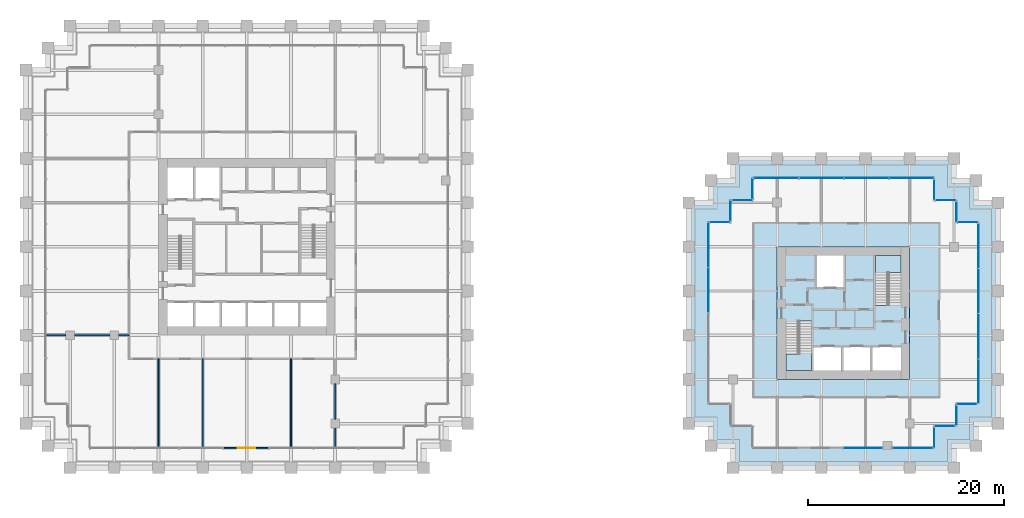
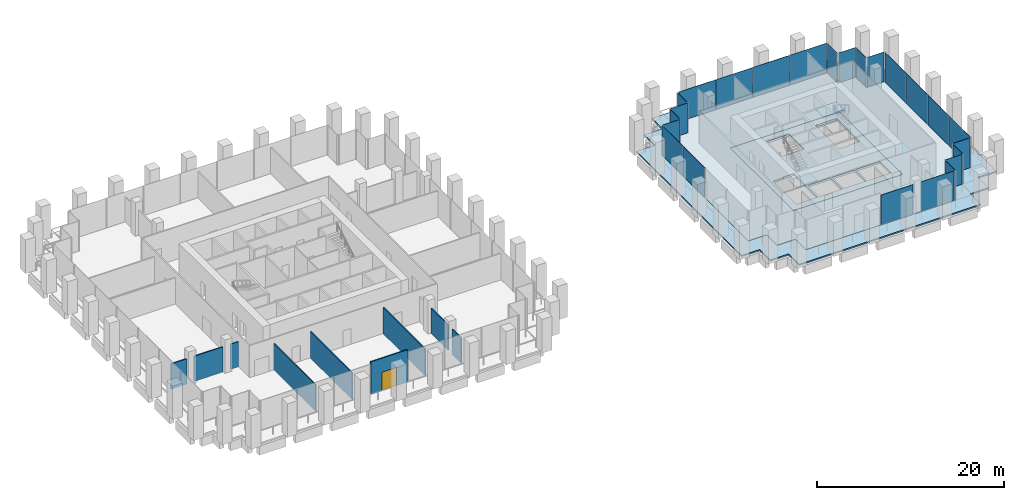
# One storey, part 29 of 36: 24 plates, 9 walls, 5 slabs, 1 door, 1 opening, 19 elements without a shape of their own.
"""IFC4 building model written with IfcOpenShell, lengths in metres."""

from ifc_helpers import new_model, si_unit, direction, frame, frame_2d, origin, origin_2d, place, context, subcontext, project, spatial, polyline, rectangle, outline, extrude, material, layer, layer_set, type_object, element, fill, aggregate, save


model = new_model("IFC4")

# Units and contexts
model_context = context("Model", 3, precision=1e-05, world=origin(), true_north=direction((0.0, 1.0)))
body_context = subcontext(model_context, "Body", "Model", "MODEL_VIEW")
ifc_project = project(units=[si_unit("LENGTHUNIT", "METRE"), si_unit("AREAUNIT", "SQUARE_METRE"), si_unit("VOLUMEUNIT", "CUBIC_METRE"), si_unit("PLANEANGLEUNIT", "RADIAN"), si_unit("MASSUNIT", "GRAM", prefix="KILO")], contexts=[model_context])

# Site, building, storey
site_placement = place(None, origin())
site = spatial("IfcSite", under=ifc_project, at=site_placement, CompositionType="ELEMENT")
building_placement = place(site_placement, origin())
building = spatial("IfcBuilding", under=site, at=building_placement, Name="Altepetl Exchange Towers", CompositionType="ELEMENT")
storey_placement = place(building_placement, frame((0.0, 0.0, 29.800048828125)))
storey = spatial("IfcBuildingStorey", under=building, at=storey_placement, Name="L06", CompositionType="ELEMENT", Elevation=29.800048828125)

# Slabs
ifc_material_1 = material(Name="Concrete C40/50", Category="concrete")
ifc_layer_1 = layer(ifc_material_1, 0.175048828125)
ifc_layer_set_1 = layer_set([ifc_layer_1], Name="Concrete C40/50")
slab_type_1 = type_object("IfcSlabType", Name="Composite floor slab 175", PredefinedType="FLOOR", material=ifc_layer_set_1)
slab_1_placement = place(storey_placement, frame((0.0, 0.0, -0.175048828125)))
element("IfcSlab", 1, at=slab_1_placement, inside=storey, type_object=slab_type_1, Name="slab:B:L06:strip0", PredefinedType="FLOOR", context=body_context, shape_type="SweptSolid", body=[
    extrude(outline(polyline([(98.75, 54.25), (98.75, 52.0), (96.5, 52.0), (96.5, 33.5), (98.75, 33.5), (98.75, 31.25), (101.0, 31.25), (101.0, 29.0), (119.5, 29.0), (119.5, 31.25), (121.75, 31.25), (121.75, 33.5), (124.0, 33.5), (124.0, 52.0), (121.75, 52.0), (121.75, 54.25), (119.5, 54.25), (119.5, 56.5), (101.0, 56.5), (101.0, 54.25), (98.75, 54.25)]), holes=[polyline([(117.0, 49.5), (117.0, 36.0), (103.5, 36.0), (103.5, 49.5), (117.0, 49.5)])]), origin(), (0.0, 0.0, 1.0), 0.175048828125),
])
ifc_layer_2 = layer(ifc_material_1, 0.27490234375)
ifc_layer_set_2 = layer_set([ifc_layer_2], Name="Concrete C40/50")
slab_type_2 = type_object("IfcSlabType", Name="Core floor slab 275", PredefinedType="FLOOR", material=ifc_layer_set_2)
slab_2_placement = place(storey_placement, frame((0.0, 0.0, -0.275146484375)))
element("IfcSlab", 2, at=slab_2_placement, inside=storey, type_object=slab_type_2, Name="slab:B:L06:core0", PredefinedType="FLOOR", context=body_context, shape_type="SweptSolid", body=[
    extrude(outline(polyline([(103.5, 36.0), (117.0, 36.0), (117.0, 49.5), (103.5, 49.5), (103.5, 36.0)]), holes=[polyline([(107.199951171875, 36.89990234375), (107.199951171875, 39.300048828125), (110.032958984375, 39.300048828125), (110.032958984375, 36.89990234375), (107.199951171875, 36.89990234375)]), polyline([(110.23291015625, 39.300048828125), (112.967041015625, 39.300048828125), (112.967041015625, 36.89990234375), (110.23291015625, 36.89990234375), (110.23291015625, 39.300048828125)]), polyline([(113.1669921875, 39.300048828125), (116.10009765625, 39.300048828125), (116.10009765625, 36.89990234375), (113.1669921875, 36.89990234375), (113.1669921875, 39.300048828125)]), polyline([(107.0, 36.89990234375), (104.39990234375, 36.89990234375), (104.39990234375, 41.85009765625), (105.64990234375, 41.85009765625), (105.64990234375, 41.948974609375), (107.0, 41.948974609375), (107.0, 36.89990234375)]), polyline([(116.10009765625, 48.60009765625), (116.10009765625, 43.64990234375), (114.85009765625, 43.64990234375), (114.85009765625, 43.551025390625), (113.5, 43.551025390625), (113.5, 48.60009765625), (116.10009765625, 48.60009765625)]), polyline([(107.532958984375, 48.60009765625), (110.26708984375, 48.60009765625), (110.26708984375, 45.39990234375), (107.532958984375, 45.39990234375), (107.532958984375, 48.60009765625)])]), origin(), (0.0, 0.0, 1.0), 0.275146484375),
])

# Curtain wall, plate
ifc_material_2 = material(Name="Aluminium 6063-T6 glazing", Category="aluminium")
curtain_wall_type = type_object("IfcCurtainWallType", Name="Trading floor glazing system", PredefinedType="NOTDEFINED", material=ifc_material_2)
curtain_wall_1_placement = place(storey_placement, origin())
curtain_wall_1 = element("IfcCurtainWall", 3, at=curtain_wall_1_placement, inside=storey, type_object=curtain_wall_type, Name="CW2 run", PredefinedType="NOTDEFINED")
ifc_material_3 = material(Name="Glass 8-20-8 solar control", Category="glass")
ifc_layer_3 = layer(ifc_material_3, 0.035888671875)
ifc_layer_set_3 = layer_set([ifc_layer_3], Name="Glass 8-20-8 solar control")
plate_type = type_object("IfcPlateType", Name="Glass panel 36 double glazed", PredefinedType="CURTAIN_PANEL", material=ifc_layer_set_3)
plate_1_placement = place(storey_placement, frame((97.675048828125, 52.0, 0.0), z_axis=(0.0, 0.0, 1.0), x_axis=(-1.0, 0.0, 0.0)))
plate_1 = element("IfcPlate", 4, at=plate_1_placement, type_object=plate_type, Name="GP2 panel", PredefinedType="CURTAIN_PANEL", context=body_context, shape_type="SweptSolid", body=[
    extrude(rectangle(XDim=2.030029296875, YDim=0.035888671875, at=origin_2d()), origin(), (0.0, 0.0, 1.0), 3.89990234375),
])
aggregate(curtain_wall_1, [plate_1])

# Curtain wall, plates
curtain_wall_2_placement = place(storey_placement, origin())
curtain_wall_2 = element("IfcCurtainWall", 5, at=curtain_wall_2_placement, inside=storey, type_object=curtain_wall_type, Name="CW2 run", PredefinedType="NOTDEFINED")
plate_2_placement = place(storey_placement, frame((96.5, 49.68505859375, 0.0), z_axis=(0.0, 0.0, 1.0), x_axis=(0.0, -1.0, 0.0)))
plate_2 = element("IfcPlate", 6, at=plate_2_placement, type_object=plate_type, Name="GP2 panel", PredefinedType="CURTAIN_PANEL", context=body_context, shape_type="SweptSolid", body=[
    extrude(rectangle(XDim=4.510009765625, YDim=0.035888671875, at=origin_2d()), origin(), (0.0, 0.0, 1.0), 3.89990234375),
])
plate_3_placement = place(storey_placement, frame((96.5, 45.10009765625, 0.0), z_axis=(0.0, 0.0, 1.0), x_axis=(0.0, -1.0, 0.0)))
plate_3 = element("IfcPlate", 7, at=plate_3_placement, type_object=plate_type, Name="GP2 panel", PredefinedType="CURTAIN_PANEL", context=body_context, shape_type="SweptSolid", body=[
    extrude(rectangle(XDim=4.5400390625, YDim=0.035888671875, at=origin_2d()), origin(), (0.0, 0.0, 1.0), 3.89990234375),
])
aggregate(curtain_wall_2, [plate_2, plate_3])

# Curtain wall, plate
curtain_wall_3_placement = place(storey_placement, origin())
curtain_wall_3 = element("IfcCurtainWall", 8, at=curtain_wall_3_placement, inside=storey, type_object=curtain_wall_type, Name="CW2 run", PredefinedType="NOTDEFINED")
plate_4_placement = place(storey_placement, frame((112.239990234375, 29.0, 0.0)))
plate_4 = element("IfcPlate", 9, at=plate_4_placement, type_object=plate_type, Name="GP2 panel", PredefinedType="CURTAIN_PANEL", context=body_context, shape_type="SweptSolid", body=[
    extrude(rectangle(XDim=3.9599609375, YDim=0.035888671875, at=origin_2d()), origin(), (0.0, 0.0, 1.0), 3.89990234375),
])
aggregate(curtain_wall_3, [plate_4])

curtain_wall_4_placement = place(storey_placement, origin())
curtain_wall_4 = element("IfcCurtainWall", 10, at=curtain_wall_4_placement, inside=storey, type_object=curtain_wall_type, Name="CW2 run", PredefinedType="NOTDEFINED")
plate_5_placement = place(storey_placement, frame((117.31005859375, 29.0, 0.0)))
plate_5 = element("IfcPlate", 11, at=plate_5_placement, type_object=plate_type, Name="GP2 panel", PredefinedType="CURTAIN_PANEL", context=body_context, shape_type="SweptSolid", body=[
    extrude(rectangle(XDim=4.06005859375, YDim=0.035888671875, at=origin_2d()), origin(), (0.0, 0.0, 1.0), 3.89990234375),
])
aggregate(curtain_wall_4, [plate_5])

curtain_wall_5_placement = place(storey_placement, origin())
curtain_wall_5 = element("IfcCurtainWall", 12, at=curtain_wall_5_placement, inside=storey, type_object=curtain_wall_type, Name="CW2 run", PredefinedType="NOTDEFINED")
plate_6_placement = place(storey_placement, frame((119.5, 30.074951171875, 0.0), z_axis=(0.0, 0.0, 1.0), x_axis=(0.0, 1.0, 0.0)))
plate_6 = element("IfcPlate", 13, at=plate_6_placement, type_object=plate_type, Name="GP2 panel", PredefinedType="CURTAIN_PANEL", context=body_context, shape_type="SweptSolid", body=[
    extrude(rectangle(XDim=2.030029296875, YDim=0.035888671875, at=origin_2d()), origin(), (0.0, 0.0, 1.0), 3.89990234375),
])
aggregate(curtain_wall_5, [plate_6])

curtain_wall_6_placement = place(storey_placement, origin())
curtain_wall_6 = element("IfcCurtainWall", 14, at=curtain_wall_6_placement, inside=storey, type_object=curtain_wall_type, Name="CW2 run", PredefinedType="NOTDEFINED")
plate_7_placement = place(storey_placement, frame((120.574951171875, 31.25, 0.0)))
plate_7 = element("IfcPlate", 15, at=plate_7_placement, type_object=plate_type, Name="GP2 panel", PredefinedType="CURTAIN_PANEL", context=body_context, shape_type="SweptSolid", body=[
    extrude(rectangle(XDim=2.030029296875, YDim=0.035888671875, at=origin_2d()), origin(), (0.0, 0.0, 1.0), 3.89990234375),
])
aggregate(curtain_wall_6, [plate_7])

curtain_wall_7_placement = place(storey_placement, origin())
curtain_wall_7 = element("IfcCurtainWall", 16, at=curtain_wall_7_placement, inside=storey, type_object=curtain_wall_type, Name="CW2 run", PredefinedType="NOTDEFINED")
plate_8_placement = place(storey_placement, frame((121.75, 32.324951171875, 0.0), z_axis=(0.0, 0.0, 1.0), x_axis=(0.0, 1.0, 0.0)))
plate_8 = element("IfcPlate", 17, at=plate_8_placement, type_object=plate_type, Name="GP2 panel", PredefinedType="CURTAIN_PANEL", context=body_context, shape_type="SweptSolid", body=[
    extrude(rectangle(XDim=2.030029296875, YDim=0.035888671875, at=origin_2d()), origin(), (0.0, 0.0, 1.0), 3.89990234375),
])
aggregate(curtain_wall_7, [plate_8])

curtain_wall_8_placement = place(storey_placement, origin())
curtain_wall_8 = element("IfcCurtainWall", 18, at=curtain_wall_8_placement, inside=storey, type_object=curtain_wall_type, Name="CW2 run", PredefinedType="NOTDEFINED")
plate_9_placement = place(storey_placement, frame((122.824951171875, 33.5, 0.0)))
plate_9 = element("IfcPlate", 19, at=plate_9_placement, type_object=plate_type, Name="GP2 panel", PredefinedType="CURTAIN_PANEL", context=body_context, shape_type="SweptSolid", body=[
    extrude(rectangle(XDim=2.030029296875, YDim=0.035888671875, at=origin_2d()), origin(), (0.0, 0.0, 1.0), 3.89990234375),
])
aggregate(curtain_wall_8, [plate_9])

# Curtain wall, plates
curtain_wall_9_placement = place(storey_placement, origin())
curtain_wall_9 = element("IfcCurtainWall", 20, at=curtain_wall_9_placement, inside=storey, type_object=curtain_wall_type, Name="CW2 run", PredefinedType="NOTDEFINED")
plate_10_placement = place(storey_placement, frame((124.0, 35.81494140625, 0.0), z_axis=(0.0, 0.0, 1.0), x_axis=(0.0, 1.0, 0.0)))
plate_10 = element("IfcPlate", 21, at=plate_10_placement, type_object=plate_type, Name="GP2 panel", PredefinedType="CURTAIN_PANEL", context=body_context, shape_type="SweptSolid", body=[
    extrude(rectangle(XDim=4.510009765625, YDim=0.035888671875, at=origin_2d()), origin(), (0.0, 0.0, 1.0), 3.89990234375),
])
plate_11_placement = place(storey_placement, frame((124.0, 40.39990234375, 0.0), z_axis=(0.0, 0.0, 1.0), x_axis=(0.0, 1.0, 0.0)))
plate_11 = element("IfcPlate", 22, at=plate_11_placement, type_object=plate_type, Name="GP2 panel", PredefinedType="CURTAIN_PANEL", context=body_context, shape_type="SweptSolid", body=[
    extrude(rectangle(XDim=4.5400390625, YDim=0.035888671875, at=origin_2d()), origin(), (0.0, 0.0, 1.0), 3.89990234375),
])
plate_12_placement = place(storey_placement, frame((124.0, 45.0, 0.0), z_axis=(0.0, 0.0, 1.0), x_axis=(0.0, 1.0, 0.0)))
plate_12 = element("IfcPlate", 23, at=plate_12_placement, type_object=plate_type, Name="GP2 panel", PredefinedType="CURTAIN_PANEL", context=body_context, shape_type="SweptSolid", body=[
    extrude(rectangle(XDim=4.5400390625, YDim=0.035888671875, at=origin_2d()), origin(), (0.0, 0.0, 1.0), 3.89990234375),
])
plate_13_placement = place(storey_placement, frame((124.0, 49.5849609375, 0.0), z_axis=(0.0, 0.0, 1.0), x_axis=(0.0, 1.0, 0.0)))
plate_13 = element("IfcPlate", 24, at=plate_13_placement, type_object=plate_type, Name="GP2 panel", PredefinedType="CURTAIN_PANEL", context=body_context, shape_type="SweptSolid", body=[
    extrude(rectangle(XDim=4.510009765625, YDim=0.035888671875, at=origin_2d()), origin(), (0.0, 0.0, 1.0), 3.89990234375),
])
aggregate(curtain_wall_9, [plate_10, plate_11, plate_12, plate_13])

# Curtain wall, plate
curtain_wall_10_placement = place(storey_placement, origin())
curtain_wall_10 = element("IfcCurtainWall", 25, at=curtain_wall_10_placement, inside=storey, type_object=curtain_wall_type, Name="CW2 run", PredefinedType="NOTDEFINED")
plate_14_placement = place(storey_placement, frame((122.925048828125, 52.0, 0.0), z_axis=(0.0, 0.0, 1.0), x_axis=(-1.0, 0.0, 0.0)))
plate_14 = element("IfcPlate", 26, at=plate_14_placement, type_object=plate_type, Name="GP2 panel", PredefinedType="CURTAIN_PANEL", context=body_context, shape_type="SweptSolid", body=[
    extrude(rectangle(XDim=2.030029296875, YDim=0.035888671875, at=origin_2d()), origin(), (0.0, 0.0, 1.0), 3.89990234375),
])
aggregate(curtain_wall_10, [plate_14])

curtain_wall_11_placement = place(storey_placement, origin())
curtain_wall_11 = element("IfcCurtainWall", 27, at=curtain_wall_11_placement, inside=storey, type_object=curtain_wall_type, Name="CW2 run", PredefinedType="NOTDEFINED")
plate_15_placement = place(storey_placement, frame((121.75, 53.074951171875, 0.0), z_axis=(0.0, 0.0, 1.0), x_axis=(0.0, 1.0, 0.0)))
plate_15 = element("IfcPlate", 28, at=plate_15_placement, type_object=plate_type, Name="GP2 panel", PredefinedType="CURTAIN_PANEL", context=body_context, shape_type="SweptSolid", body=[
    extrude(rectangle(XDim=2.030029296875, YDim=0.035888671875, at=origin_2d()), origin(), (0.0, 0.0, 1.0), 3.89990234375),
])
aggregate(curtain_wall_11, [plate_15])

curtain_wall_12_placement = place(storey_placement, origin())
curtain_wall_12 = element("IfcCurtainWall", 29, at=curtain_wall_12_placement, inside=storey, type_object=curtain_wall_type, Name="CW2 run", PredefinedType="NOTDEFINED")
plate_16_placement = place(storey_placement, frame((120.675048828125, 54.25, 0.0), z_axis=(0.0, 0.0, 1.0), x_axis=(-1.0, 0.0, 0.0)))
plate_16 = element("IfcPlate", 30, at=plate_16_placement, type_object=plate_type, Name="GP2 panel", PredefinedType="CURTAIN_PANEL", context=body_context, shape_type="SweptSolid", body=[
    extrude(rectangle(XDim=2.030029296875, YDim=0.035888671875, at=origin_2d()), origin(), (0.0, 0.0, 1.0), 3.89990234375),
])
aggregate(curtain_wall_12, [plate_16])

curtain_wall_13_placement = place(storey_placement, origin())
curtain_wall_13 = element("IfcCurtainWall", 31, at=curtain_wall_13_placement, inside=storey, type_object=curtain_wall_type, Name="CW2 run", PredefinedType="NOTDEFINED")
plate_17_placement = place(storey_placement, frame((119.5, 55.324951171875, 0.0), z_axis=(0.0, 0.0, 1.0), x_axis=(0.0, 1.0, 0.0)))
plate_17 = element("IfcPlate", 32, at=plate_17_placement, type_object=plate_type, Name="GP2 panel", PredefinedType="CURTAIN_PANEL", context=body_context, shape_type="SweptSolid", body=[
    extrude(rectangle(XDim=2.030029296875, YDim=0.035888671875, at=origin_2d()), origin(), (0.0, 0.0, 1.0), 3.89990234375),
])
aggregate(curtain_wall_13, [plate_17])

# Curtain wall, plates
curtain_wall_14_placement = place(storey_placement, origin())
curtain_wall_14 = element("IfcCurtainWall", 33, at=curtain_wall_14_placement, inside=storey, type_object=curtain_wall_type, Name="CW2 run", PredefinedType="NOTDEFINED")
plate_18_placement = place(storey_placement, frame((117.18505859375, 56.5, 0.0), z_axis=(0.0, 0.0, 1.0), x_axis=(-1.0, 0.0, 0.0)))
plate_18 = element("IfcPlate", 34, at=plate_18_placement, type_object=plate_type, Name="GP2 panel", PredefinedType="CURTAIN_PANEL", context=body_context, shape_type="SweptSolid", body=[
    extrude(rectangle(XDim=4.510009765625, YDim=0.035888671875, at=origin_2d()), origin(), (0.0, 0.0, 1.0), 3.89990234375),
])
plate_19_placement = place(storey_placement, frame((112.60009765625, 56.5, 0.0), z_axis=(0.0, 0.0, 1.0), x_axis=(-1.0, 0.0, 0.0)))
plate_19 = element("IfcPlate", 35, at=plate_19_placement, type_object=plate_type, Name="GP2 panel", PredefinedType="CURTAIN_PANEL", context=body_context, shape_type="SweptSolid", body=[
    extrude(rectangle(XDim=4.5400390625, YDim=0.035888671875, at=origin_2d()), origin(), (0.0, 0.0, 1.0), 3.89990234375),
])
plate_20_placement = place(storey_placement, frame((108.0, 56.5, 0.0), z_axis=(0.0, 0.0, 1.0), x_axis=(-1.0, 0.0, 0.0)))
plate_20 = element("IfcPlate", 36, at=plate_20_placement, type_object=plate_type, Name="GP2 panel", PredefinedType="CURTAIN_PANEL", context=body_context, shape_type="SweptSolid", body=[
    extrude(rectangle(XDim=4.5400390625, YDim=0.035888671875, at=origin_2d()), origin(), (0.0, 0.0, 1.0), 3.89990234375),
])
plate_21_placement = place(storey_placement, frame((103.4150390625, 56.5, 0.0), z_axis=(0.0, 0.0, 1.0), x_axis=(-1.0, 0.0, 0.0)))
plate_21 = element("IfcPlate", 37, at=plate_21_placement, type_object=plate_type, Name="GP2 panel", PredefinedType="CURTAIN_PANEL", context=body_context, shape_type="SweptSolid", body=[
    extrude(rectangle(XDim=4.510009765625, YDim=0.035888671875, at=origin_2d()), origin(), (0.0, 0.0, 1.0), 3.89990234375),
])
aggregate(curtain_wall_14, [plate_18, plate_19, plate_20, plate_21])

# Curtain wall, plate
curtain_wall_15_placement = place(storey_placement, origin())
curtain_wall_15 = element("IfcCurtainWall", 38, at=curtain_wall_15_placement, inside=storey, type_object=curtain_wall_type, Name="CW2 run", PredefinedType="NOTDEFINED")
plate_22_placement = place(storey_placement, frame((101.0, 55.425048828125, 0.0), z_axis=(0.0, 0.0, 1.0), x_axis=(0.0, -1.0, 0.0)))
plate_22 = element("IfcPlate", 39, at=plate_22_placement, type_object=plate_type, Name="GP2 panel", PredefinedType="CURTAIN_PANEL", context=body_context, shape_type="SweptSolid", body=[
    extrude(rectangle(XDim=2.030029296875, YDim=0.035888671875, at=origin_2d()), origin(), (0.0, 0.0, 1.0), 3.89990234375),
])
aggregate(curtain_wall_15, [plate_22])

curtain_wall_16_placement = place(storey_placement, origin())
curtain_wall_16 = element("IfcCurtainWall", 40, at=curtain_wall_16_placement, inside=storey, type_object=curtain_wall_type, Name="CW2 run", PredefinedType="NOTDEFINED")
plate_23_placement = place(storey_placement, frame((99.925048828125, 54.25, 0.0), z_axis=(0.0, 0.0, 1.0), x_axis=(-1.0, 0.0, 0.0)))
plate_23 = element("IfcPlate", 41, at=plate_23_placement, type_object=plate_type, Name="GP2 panel", PredefinedType="CURTAIN_PANEL", context=body_context, shape_type="SweptSolid", body=[
    extrude(rectangle(XDim=2.030029296875, YDim=0.035888671875, at=origin_2d()), origin(), (0.0, 0.0, 1.0), 3.89990234375),
])
aggregate(curtain_wall_16, [plate_23])

curtain_wall_17_placement = place(storey_placement, origin())
curtain_wall_17 = element("IfcCurtainWall", 42, at=curtain_wall_17_placement, inside=storey, type_object=curtain_wall_type, Name="CW2 run", PredefinedType="NOTDEFINED")
plate_24_placement = place(storey_placement, frame((98.75, 53.175048828125, 0.0), z_axis=(0.0, 0.0, 1.0), x_axis=(0.0, -1.0, 0.0)))
plate_24 = element("IfcPlate", 43, at=plate_24_placement, type_object=plate_type, Name="GP2 panel", PredefinedType="CURTAIN_PANEL", context=body_context, shape_type="SweptSolid", body=[
    extrude(rectangle(XDim=2.030029296875, YDim=0.035888671875, at=origin_2d()), origin(), (0.0, 0.0, 1.0), 3.89990234375),
])
aggregate(curtain_wall_17, [plate_24])

# Slab
ifc_layer_4 = layer(ifc_material_1, 0.175048828125)
ifc_layer_set_4 = layer_set([ifc_layer_4], Name="Concrete C40/50")
slab_type_3 = type_object("IfcSlabType", Name="Loggia slab 175", PredefinedType="FLOOR", material=ifc_layer_set_4)
slab_3_placement = place(storey_placement, frame((0.0, 0.0, -0.175048828125)))
element("IfcSlab", 44, at=slab_3_placement, inside=storey, type_object=slab_type_3, Name="slab:B:L06:loggia0", PredefinedType="FLOOR", context=body_context, shape_type="SweptSolid", body=[
    extrude(outline(polyline([(96.75, 54.0), (94.5, 54.0), (94.5, 36.0), (94.5, 31.5), (96.75, 31.5), (96.75, 29.25), (99.0, 29.25), (99.0, 27.0), (117.0, 27.0), (121.5, 27.0), (121.5, 29.25), (123.75, 29.25), (123.75, 31.5), (126.0, 31.5), (126.0, 49.5), (126.0, 54.0), (123.75, 54.0), (123.75, 56.25), (121.5, 56.25), (121.5, 58.5), (103.5, 58.5), (99.0, 58.5), (99.0, 56.25), (96.75, 56.25), (96.75, 54.0)]), holes=[polyline([(96.5, 52.0), (98.75, 52.0), (98.75, 54.25), (101.0, 54.25), (101.0, 56.5), (119.5, 56.5), (119.5, 54.25), (121.75, 54.25), (121.75, 52.0), (124.0, 52.0), (124.0, 33.5), (121.75, 33.5), (121.75, 31.25), (119.5, 31.25), (119.5, 29.0), (101.0, 29.0), (101.0, 31.25), (98.75, 31.25), (98.75, 33.5), (96.5, 33.5), (96.5, 52.0)])]), origin(), (0.0, 0.0, 1.0), 0.175048828125),
])

# Stair, slab
stair_type = type_object("IfcStairType", Name="Exit stair 1250 flights dogleg", PredefinedType="HALF_TURN_STAIR", material=ifc_material_1)
stair_1_placement = place(storey_placement, origin())
stair_1 = element("IfcStair", 45, at=stair_1_placement, inside=storey, type_object=stair_type, Name="Exit stair 1", PredefinedType="HALF_TURN_STAIR")
ifc_layer_5 = layer(ifc_material_1, 0.199951171875)
ifc_layer_set_5 = layer_set([ifc_layer_5], Name="Concrete C40/50")
slab_type_4 = type_object("IfcSlabType", Name="Stair landing 200 reinforced concrete", PredefinedType="LANDING", material=ifc_layer_set_5)
slab_4_placement = place(storey_placement, frame((0.0, 0.0, 2.0)))
slab_4 = element("IfcSlab", 46, at=slab_4_placement, type_object=slab_type_4, Name="ST-B1b landing 1", PredefinedType="LANDING", context=body_context, shape_type="SweptSolid", body=[
    extrude(outline(polyline([(107.0, 36.89990234375), (104.39990234375, 36.89990234375), (104.39990234375, 38.590087890625), (104.39990234375, 38.5908203125), (105.64990234375, 38.5908203125), (105.64990234375, 38.590087890625), (105.75, 38.590087890625), (105.75, 38.68994140625), (107.0, 38.68994140625), (107.0, 38.590087890625), (107.0, 36.89990234375)])), origin(), (0.0, 0.0, 1.0), 0.199951171875),
])
aggregate(stair_1, [slab_4])

stair_2_placement = place(storey_placement, origin())
stair_2 = element("IfcStair", 47, at=stair_2_placement, inside=storey, type_object=stair_type, Name="Exit stair 2", PredefinedType="HALF_TURN_STAIR")
slab_5_placement = place(storey_placement, frame((0.0, 0.0, 2.0)))
slab_5 = element("IfcSlab", 48, at=slab_5_placement, type_object=slab_type_4, Name="ST-B2b landing 1", PredefinedType="LANDING", context=body_context, shape_type="SweptSolid", body=[
    extrude(outline(polyline([(114.75, 46.81005859375), (113.5, 46.81005859375), (113.5, 46.909912109375), (113.5, 48.60009765625), (116.10009765625, 48.60009765625), (116.10009765625, 46.909912109375), (116.10009765625, 46.9091796875), (114.85009765625, 46.9091796875), (114.85009765625, 46.909912109375), (114.75, 46.909912109375), (114.75, 46.81005859375)])), origin(), (0.0, 0.0, 1.0), 0.199951171875),
])
aggregate(stair_2, [slab_5])

# Wall, opening, door
ifc_material_4 = material(Name="Aluminium composite cladding", Category="aluminium")
ifc_layer_6 = layer(ifc_material_4, 0.14990234375)
ifc_layer_set_6 = layer_set([ifc_layer_6], Name="Aluminium composite cladding")
wall_type_1 = type_object("IfcWallType", Name="Infill wall 150 aluminium panel", PredefinedType="SOLIDWALL", material=ifc_layer_set_6)
wall_1_placement = place(storey_placement, frame((47.17138671875, 29.0, 0.0)))
wall_1 = element("IfcWall", 49, at=wall_1_placement, inside=storey, type_object=wall_type_1, Name="Loggia door bay wall", PredefinedType="SOLIDWALL", context=body_context, shape_type="SweptSolid", body=[
    extrude(rectangle(XDim=4.55712890625, YDim=0.14990234375, at=frame_2d((2.278564453125, 0.0))), origin(), (0.0, 0.0, 1.0), 4.224853515625),
])
opening_placement = place(wall_1_placement, frame((1.378662109375, 0.0, 0.0)))
opening = element("IfcOpeningElement", 50, at=opening_placement, cuts=wall_1, Name="Opening L06.A90", PredefinedType="OPENING", context=body_context, shape_type="SweptSolid", body=[
    extrude(rectangle(XDim=1.800048828125, YDim=2.39990234375, at=frame_2d((0.89990234375, 1.199951171875))), frame((0.0, 0.0849609375, 0.0), z_axis=(0.0, -1.0, 0.0), x_axis=(1.0, 0.0, 0.0)), (0.0, 0.0, 1.0), 0.169921875),
])
ifc_material_5 = material(Name="Aluminium 6063-T6 and glass", Category="aluminium")
door_type = type_object("IfcDoorType", Name="Glazed door pair 1800x2400", OperationType="DOUBLE_DOOR_DOUBLE_SWING", PredefinedType="NOTDEFINED", material=ifc_material_5)
door_placement = place(opening_placement, frame((1.800048828125, 0.0, 0.0), x_axis=(-1.0, 0.0, 0.0)))
door = element("IfcDoor", 51, at=door_placement, inside=storey, type_object=door_type, Name="Loggia door", OperationType="DOUBLE_DOOR_DOUBLE_SWING", OverallHeight=2.39990234375, OverallWidth=1.800048828125, PredefinedType="NOTDEFINED", context=body_context, shape_type="SweptSolid", body=[
    extrude(rectangle(XDim=1.800048828125, YDim=2.39990234375, at=frame_2d((0.89990234375, 1.199951171875))), frame((0.0, 0.02490234375, 0.0), z_axis=(0.0, -1.0, 0.0), x_axis=(1.0, 0.0, 0.0)), (0.0, 0.0, 1.0), 0.050048828125),
])
fill(opening, door)

# Walls
ifc_material_6 = material(Name="Gypsum board on steel studs", Category="steel")
ifc_layer_7 = layer(ifc_material_6, 0.125)
ifc_layer_set_7 = layer_set([ifc_layer_7], Name="Gypsum board on steel studs")
wall_type_2 = type_object("IfcWallType", Name="Partition 125 gypsum board on steel studs", PredefinedType="PARTITIONING", material=ifc_layer_set_7)
wall_2_placement = place(storey_placement, frame((29.10009765625, 40.5, 0.0)))
element("IfcWall", 52, at=wall_2_placement, inside=storey, type_object=wall_type_2, Name="wall:A:L06:P02", PredefinedType="PARTITIONING", context=body_context, shape_type="SweptSolid", body=[
    extrude(rectangle(XDim=1.949951171875, YDim=0.125, at=frame_2d((0.97509765625, 0.0))), origin(), (0.0, 0.0, 1.0), 3.302001953125),
])
wall_3_placement = place(storey_placement, frame((31.949951171875, 40.5, 0.0)))
element("IfcWall", 53, at=wall_3_placement, inside=storey, type_object=wall_type_2, Name="wall:A:L06:P03", PredefinedType="PARTITIONING", context=body_context, shape_type="SweptSolid", body=[
    extrude(rectangle(XDim=3.60009765625, YDim=0.125, at=frame_2d((1.800048828125, 0.0))), origin(), (0.0, 0.0, 1.0), 3.302001953125),
])
wall_4_placement = place(storey_placement, frame((36.449951171875, 40.5, 0.0)))
element("IfcWall", 54, at=wall_4_placement, inside=storey, type_object=wall_type_2, Name="wall:A:L06:P04", PredefinedType="PARTITIONING", context=body_context, shape_type="SweptSolid", body=[
    extrude(rectangle(XDim=1.050048828125, YDim=0.125, at=frame_2d((0.52490234375, 0.0))), origin(), (0.0, 0.0, 1.0), 3.302001953125),
])
for number, where, z_axis, x_axis, name in (
    (55, (40.5, 29.10009765625, 0.0), (0.0, 0.0, 1.0), (0.0, 1.0, 0.0), "wall:A:L06:P15"),
    (56, (45.0, 29.10009765625, 0.0), (0.0, 0.0, 1.0), (0.0, 1.0, 0.0), "wall:A:L06:P19"),
    (57, (54.0, 29.10009765625, 0.0), (0.0, 0.0, 1.0), (0.0, 1.0, 0.0), "wall:A:L06:P21"),
):
    element("IfcWall", number, at=place(storey_placement, frame(where, z_axis=z_axis, x_axis=x_axis)), inside=storey, type_object=wall_type_2, Name=name, PredefinedType="PARTITIONING", context=body_context, shape_type="SweptSolid", body=[
        extrude(rectangle(XDim=9.0, YDim=0.125, at=frame_2d((4.5, 0.0))), origin(), (0.0, 0.0, 1.0), 3.467041015625),
    ])
wall_5_placement = place(storey_placement, frame((58.5, 29.10009765625, 0.0), z_axis=(0.0, 0.0, 1.0), x_axis=(0.0, 1.0, 0.0)))
element("IfcWall", 58, at=wall_5_placement, inside=storey, type_object=wall_type_2, Name="wall:A:L06:P22", PredefinedType="PARTITIONING", context=body_context, shape_type="SweptSolid", body=[
    extrude(rectangle(XDim=1.949951171875, YDim=0.125, at=frame_2d((0.97509765625, 0.0))), origin(), (0.0, 0.0, 1.0), 3.302001953125),
])
wall_6_placement = place(storey_placement, frame((58.5, 31.949951171875, 0.0), z_axis=(0.0, 0.0, 1.0), x_axis=(0.0, 1.0, 0.0)))
element("IfcWall", 59, at=wall_6_placement, inside=storey, type_object=wall_type_2, Name="wall:A:L06:P23", PredefinedType="PARTITIONING", context=body_context, shape_type="SweptSolid", body=[
    extrude(rectangle(XDim=3.60009765625, YDim=0.125, at=frame_2d((1.800048828125, 0.0))), origin(), (0.0, 0.0, 1.0), 3.302001953125),
])

save(model, "model.ifc")
